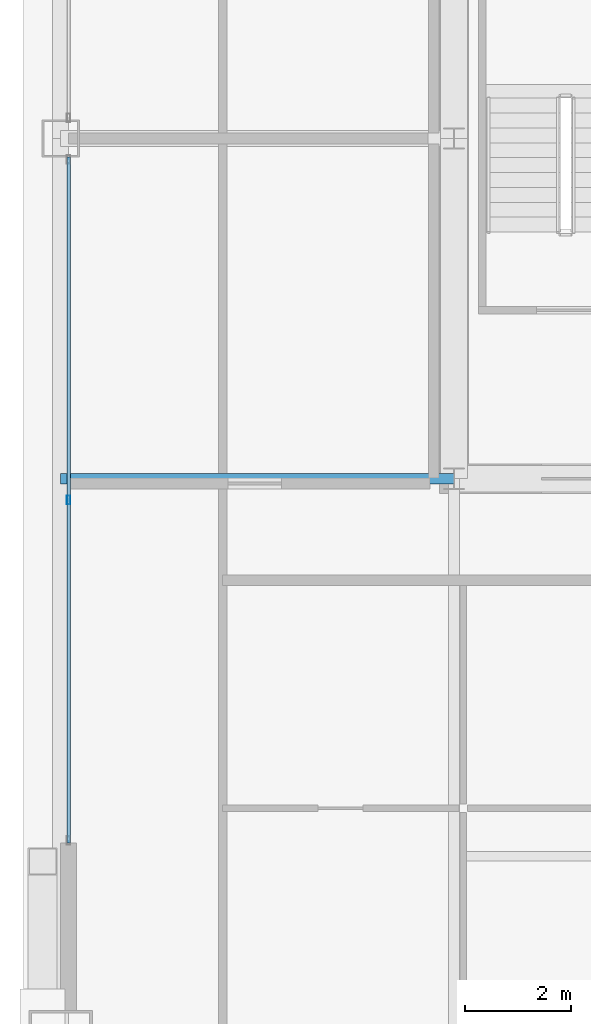
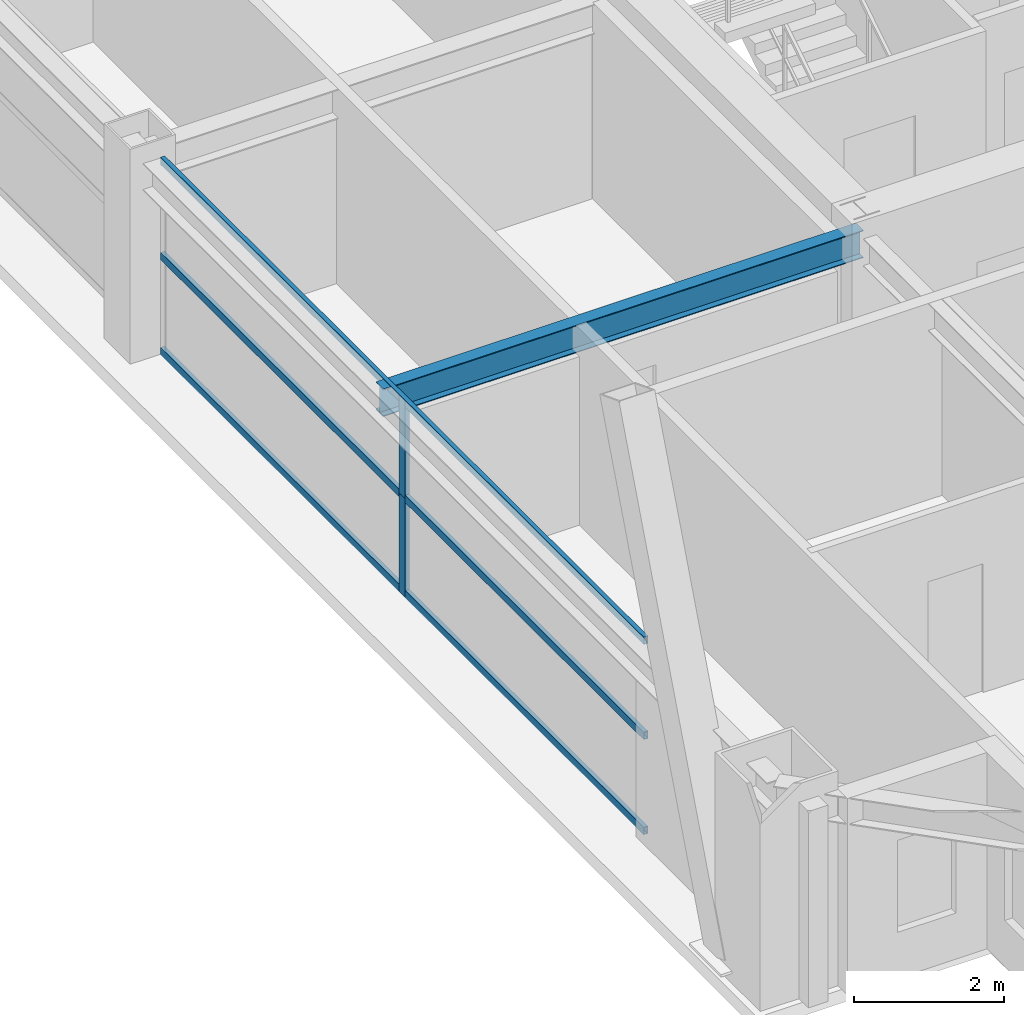
# One storey, part 8 of 36: 5 members, 1 beam, 1 element without a shape of its own.
"""IFC4 building model written with IfcOpenShell, lengths in metres."""

from ifc_helpers import new_model, si_unit, direction, frame, origin, origin_2d, place, context, subcontext, project, spatial, hollow_rectangle, i_section, extrude, source, transform, mapped, material, layer, layer_set, material_profile, profile_set, type_object, element, aggregate, save


model = new_model("IFC4")

# Units and contexts
model_context = context("Model", 3, precision=1e-05, world=origin(), true_north=direction((0.0, 1.0)))
body_context = subcontext(model_context, "Body", "Model", "MODEL_VIEW")
ifc_project = project(units=[si_unit("LENGTHUNIT", "METRE"), si_unit("AREAUNIT", "SQUARE_METRE"), si_unit("VOLUMEUNIT", "CUBIC_METRE"), si_unit("PLANEANGLEUNIT", "RADIAN"), si_unit("MASSUNIT", "GRAM", prefix="KILO"), si_unit("THERMODYNAMICTEMPERATUREUNIT", "KELVIN"), si_unit("POWERUNIT", "WATT")], contexts=[model_context])

# Site, building, storey
site_placement = place(None, origin())
site = spatial("IfcSite", under=ifc_project, at=site_placement, CompositionType="ELEMENT")
building_placement = place(site_placement, origin())
building = spatial("IfcBuilding", under=site, at=building_placement, Name="Yuzanri Waterfront Tower", CompositionType="ELEMENT")
storey_placement = place(building_placement, frame((0.0, 0.0, 255.60009765625)))
storey = spatial("IfcBuildingStorey", under=building, at=storey_placement, Name="L68", CompositionType="ELEMENT", Elevation=255.60009765625)

# Beam
ifc_material_1 = material(Name="Steel Q355B", Category="steel")
ifc_material_profile_1 = material_profile(ifc_material_1, i_section(OverallWidth=0.199951171875, OverallDepth=0.449951171875, WebThickness=0.009033203125, FlangeThickness=0.013916015625, at=origin_2d()), Name="HN 450x200x9x14")
ifc_profile_set_1 = profile_set([ifc_material_profile_1], Name="Steel Q355B")
beam_type = type_object("IfcBeamType", Name="Secondary Floor Beam Q355B HN 450x200", PredefinedType="BEAM", material=ifc_profile_set_1)
shared_shape_1 = source(origin(), body_context, "Body", "SweptSolid", [
    extrude(i_section(OverallWidth=0.199951171875, OverallDepth=0.449951171875, WebThickness=0.009033203125, FlangeThickness=0.013916015625, at=origin_2d()), origin(), (0.0, 0.0, 1.0), 7.400146484375),
])
beam_placement = place(storey_placement, frame((23.800048828125, 19.39990234375, 2.974853515625), z_axis=(-1.0, 0.0, 0.0), x_axis=(0.0, -1.0, 0.0)))
element("IfcBeam", 1, at=beam_placement, inside=storey, type_object=beam_type, Name="L68 West-South Core Line Beam", PredefinedType="BEAM", context=body_context, shape_type="MappedRepresentation", body=[
    mapped(shared_shape_1, transform((0.0, 0.0, 0.0), scale=1.0)),
])

# Curtain wall, members
ifc_material_2 = material(Name="Anodized Architectural Bronze", Category="metal")
ifc_layer = layer(ifc_material_2, 0.159912109375)
ifc_layer_set = layer_set([ifc_layer], Name="Anodized Architectural Bronze")
curtain_wall_type = type_object("IfcCurtainWallType", Name="Anodized Bronze Mid-Rise Residential Acoustic Unitized Curtain Wall 7200", PredefinedType="NOTDEFINED", material=ifc_layer_set)
curtain_wall_placement = place(storey_placement, origin())
curtain_wall = element("IfcCurtainWall", 2, at=curtain_wall_placement, inside=storey, type_object=curtain_wall_type, Name="L68 Curtain Wall CW-L68-WL", PredefinedType="NOTDEFINED")
ifc_material_3 = material(Name="Anodized Architectural Bronze", Category="metal")
ifc_material_profile_2 = material_profile(ifc_material_3, hollow_rectangle(XDim=0.06494140625, YDim=0.1201171875, WallThickness=0.00341796875, at=origin_2d()), Name="CWT 65x120")
ifc_profile_set_2 = profile_set([ifc_material_profile_2], Name="Anodized Architectural Bronze")
member_type_1 = type_object("IfcMemberType", Name="Anodized Bronze Secondary Curtain-Wall Transom 65x120", PredefinedType="USERDEFINED", material=ifc_profile_set_2)
shared_shape_2 = source(origin(), body_context, "Body", "SweptSolid", [
    extrude(hollow_rectangle(XDim=0.06494140625, YDim=0.1201171875, WallThickness=0.00341796875, at=origin_2d()), origin(), (0.0, 0.0, 1.0), 12.89990234375),
])
member_1_placement = place(storey_placement, frame((16.550048828125, 12.550048828125, 0.0498046875), z_axis=(0.0, 1.0, 0.0), x_axis=(-1.0, 0.0, 0.0)))
member_1 = element("IfcMember", 3, at=member_1_placement, type_object=member_type_1, Name="CW-L68-WL Transom 1", ObjectType="TRANSOM", PredefinedType="USERDEFINED", context=body_context, shape_type="MappedRepresentation", body=[
    mapped(shared_shape_2, transform((0.0, 0.0, 0.0), scale=1.0)),
])
member_2_placement = place(storey_placement, frame((16.550048828125, 12.550048828125, 1.599853515625), z_axis=(0.0, 1.0, 0.0), x_axis=(-1.0, 0.0, 0.0)))
member_2 = element("IfcMember", 4, at=member_2_placement, type_object=member_type_1, Name="CW-L68-WL Transom 2", ObjectType="TRANSOM", PredefinedType="USERDEFINED", context=body_context, shape_type="MappedRepresentation", body=[
    mapped(shared_shape_2, transform((0.0, 0.0, 0.0), scale=1.0)),
])
member_3_placement = place(storey_placement, frame((16.550048828125, 12.550048828125, 3.14990234375), z_axis=(0.0, 1.0, 0.0), x_axis=(-1.0, 0.0, 0.0)))
member_3 = element("IfcMember", 5, at=member_3_placement, type_object=member_type_1, Name="CW-L68-WL Transom 3", ObjectType="TRANSOM", PredefinedType="USERDEFINED", context=body_context, shape_type="MappedRepresentation", body=[
    mapped(shared_shape_2, transform((0.0, 0.0, 0.0), scale=1.0)),
])
ifc_material_4 = material(Name="Anodized Architectural Bronze", Category="metal")
ifc_material_profile_3 = material_profile(ifc_material_4, hollow_rectangle(XDim=0.06494140625, YDim=0.159912109375, WallThickness=0.00341796875, at=origin_2d()), Name="CWM 65x160")
ifc_profile_set_3 = profile_set([ifc_material_profile_3], Name="Anodized Architectural Bronze")
member_type_2 = type_object("IfcMemberType", Name="Anodized Bronze Upper-Zone Curtain-Wall Mullion 65x160", PredefinedType="MULLION", material=ifc_profile_set_3)
shared_shape_3 = source(origin(), body_context, "Body", "SweptSolid", [
    extrude(hollow_rectangle(XDim=0.06494140625, YDim=0.159912109375, WallThickness=0.00341796875, at=origin_2d()), origin(), (0.0, 0.0, 1.0), 1.597900390625),
])
member_4_placement = place(storey_placement, frame((16.550048828125, 19.0, 0.0), z_axis=(0.0, 0.0, 1.0), x_axis=(1.0, 0.0, 0.0)))
member_4 = element("IfcMember", 6, at=member_4_placement, type_object=member_type_2, Name="CW-L68-WL Lower Mullion 01", PredefinedType="MULLION", context=body_context, shape_type="MappedRepresentation", body=[
    mapped(shared_shape_3, transform((0.0, 0.0, 0.0), scale=1.0)),
])
shared_shape_4 = source(origin(), body_context, "Body", "SweptSolid", [
    extrude(hollow_rectangle(XDim=0.06494140625, YDim=0.159912109375, WallThickness=0.00341796875, at=origin_2d()), origin(), (0.0, 0.0, 1.0), 1.59814453125),
])
member_5_placement = place(storey_placement, frame((16.550048828125, 19.0, 1.601806640625), z_axis=(0.0, 0.0, 1.0), x_axis=(1.0, 0.0, 0.0)))
member_5 = element("IfcMember", 7, at=member_5_placement, type_object=member_type_2, Name="CW-L68-WL Upper Mullion 01", PredefinedType="MULLION", context=body_context, shape_type="MappedRepresentation", body=[
    mapped(shared_shape_4, transform((0.0, 0.0, 0.0), scale=1.0)),
])
aggregate(curtain_wall, [member_4, member_5, member_1, member_2, member_3])

save(model, "model.ifc")
